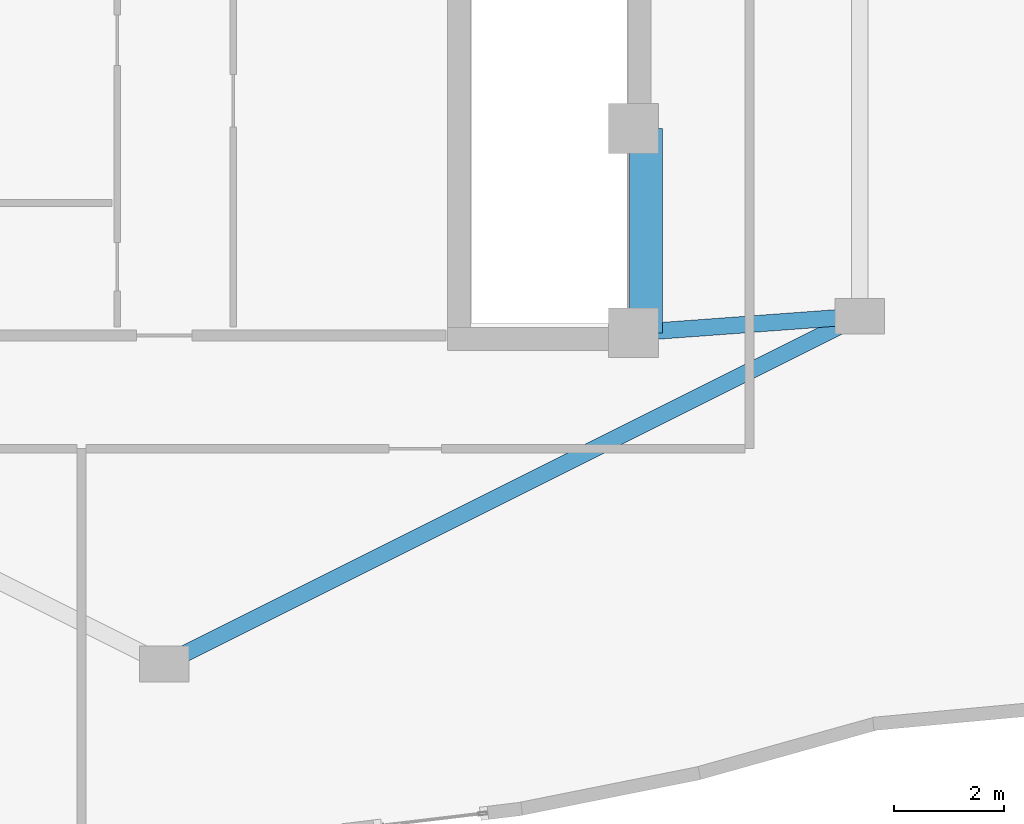
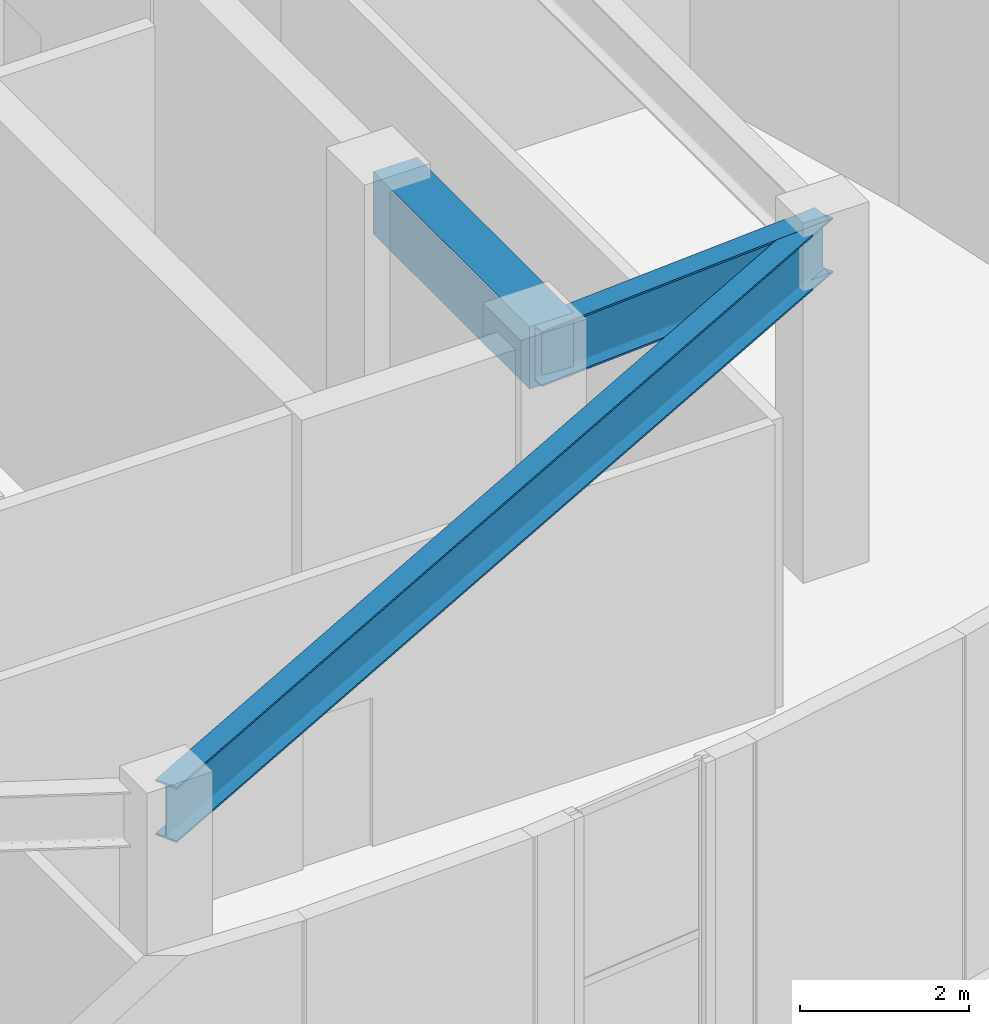
# One storey, part 3 of 12: 3 beams.
"""IFC4 building model written with IfcOpenShell, lengths in metres."""

import ifcopenshell
import ifcopenshell.guid

model = None  # the IFC model being written
_history = None  # IfcOwnerHistory: only IFC2X3 demands one
_inside = {}  # id of a spatial element -> (the spatial element, [elements in it])
_under = {}  # id of a project, library or spatial element -> (it, [spatial elements below it])
_declared = {}  # id of a project -> (the project, [libraries it declares])
_typed = {}  # id of a type object -> (the type object, [elements of that type])
_made_of = {}  # id of a material, layer set ... -> (it, [elements and type objects made of it])


def new_model(schema):
    """Start an empty IFC model of exactly this schema.

    Asked for "IFC4X3", IfcOpenShell would pick the latest addendum, in which some entities
    have other attributes; the version numbers below select the first issue.
    IFC2X3 requires an IfcOwnerHistory on every rooted entity: one is made here for all.
    """
    global model, _history
    if schema == "IFC4X3":
        model = ifcopenshell.file(schema_version=(4, 3, 0, 0))
    else:
        model = ifcopenshell.file(schema=schema)
    _inside.clear()
    _under.clear()
    _declared.clear()
    _typed.clear()
    _made_of.clear()
    _history = None
    if model.schema == "IFC2X3":
        org = make("IfcOrganization", Name="unknown")
        user = make(
            "IfcPersonAndOrganization",
            ThePerson=make("IfcPerson", FamilyName="unknown"),
            TheOrganization=org,
        )
        app = make(
            "IfcApplication",
            ApplicationDeveloper=org,
            Version="unknown",
            ApplicationFullName="unknown",
            ApplicationIdentifier="unknown",
        )
        _history = make(
            "IfcOwnerHistory",
            OwningUser=user,
            OwningApplication=app,
            ChangeAction="ADDED",
            CreationDate=0,
        )
    return model


def make(cls, **values):
    """One entity of the class cls with the attributes given. An attribute that is None is left unset."""
    return model.create_entity(
        cls, **{name: value for name, value in values.items() if value is not None}
    )


def rooted(cls, **values):
    """An entity with a GlobalId (a new one), such as an element, a storey or a relation."""
    return make(cls, GlobalId=ifcopenshell.guid.new(), OwnerHistory=_history, **values)


def si_unit(unit_type, name, prefix=None):
    """IfcSIUnit, for example si_unit("LENGTHUNIT", "METRE", prefix="MILLI")."""
    return make("IfcSIUnit", UnitType=unit_type, Prefix=prefix, Name=name)


def assignment(units):
    """IfcUnitAssignment: the units of a project."""
    return None if units is None else make("IfcUnitAssignment", Units=units)


def point(xyz):
    """IfcCartesianPoint."""
    return None if xyz is None else make("IfcCartesianPoint", Coordinates=xyz)


def direction(xyz):
    """IfcDirection."""
    return None if xyz is None else make("IfcDirection", DirectionRatios=xyz)


def frame(location, z_axis=None, x_axis=None):
    """IfcAxis2Placement3D, a coordinate frame: its origin and axes. An axis left out is left unset."""
    return make(
        "IfcAxis2Placement3D",
        Location=point(location),
        Axis=direction(z_axis),
        RefDirection=direction(x_axis),
    )


def frame_2d(location, x_axis=None):
    """IfcAxis2Placement2D, a coordinate frame in the plane: its origin and x axis."""
    return make(
        "IfcAxis2Placement2D", Location=point(location), RefDirection=direction(x_axis)
    )


def origin():
    """The frame at (0, 0, 0) with its axes left unset."""
    return frame((0.0, 0.0, 0.0))


def origin_2d():
    """The frame at (0, 0) in the plane with its x axis left unset."""
    return frame_2d((0.0, 0.0))


def place(relative_to, where):
    """IfcLocalPlacement: puts the frame where relative to a parent placement (None: the world)."""
    return make(
        "IfcLocalPlacement", PlacementRelTo=relative_to, RelativePlacement=where
    )


def context(
    kind, dimensions, precision=None, world=None, true_north=None, identifier=None
):
    """IfcGeometricRepresentationContext, for example the 3D "Model" context."""
    return make(
        "IfcGeometricRepresentationContext",
        ContextIdentifier=identifier,
        ContextType=kind,
        CoordinateSpaceDimension=dimensions,
        Precision=precision,
        WorldCoordinateSystem=world,
        TrueNorth=true_north,
    )


def subcontext(parent, identifier, kind, view, scale=None):
    """IfcGeometricRepresentationSubContext, for example "Body" below "Model"."""
    return make(
        "IfcGeometricRepresentationSubContext",
        ContextIdentifier=identifier,
        ContextType=kind,
        ParentContext=parent,
        TargetScale=scale,
        TargetView=view,
    )


def project(units=None, contexts=None):
    """IfcProject with its units and contexts."""
    return rooted(
        "IfcProject",
        Name="project",
        RepresentationContexts=contexts,
        UnitsInContext=assignment(units),
    )


def spatial(cls, under=None, at=None, **own):
    """A site, building, storey or space (cls), placed at a placement, below another one or the project."""
    s = rooted(cls, ObjectPlacement=at, **own)
    if under is not None:
        _under.setdefault(under.id(), (under, []))[1].append(s)
    return s


def profile(cls, at=None, kind="AREA", **sizes):
    """A parametric profile (cls). Its sizes go by their IFC names, for example OverallWidth=200.0."""
    return make(cls, ProfileType=kind, Position=at, **sizes)


def rectangle(**sizes):
    """IfcRectangleProfileDef."""
    return profile("IfcRectangleProfileDef", **sizes)


def i_section(**sizes):
    """IfcIShapeProfileDef."""
    return profile("IfcIShapeProfileDef", **sizes)


def extrude(swept, where, along, depth):
    """IfcExtrudedAreaSolid: the profile swept, set in the frame where, extruded along a direction by depth."""
    return make(
        "IfcExtrudedAreaSolid",
        SweptArea=swept,
        Position=where,
        ExtrudedDirection=direction(along),
        Depth=depth,
    )


def shape(context_of_items, identifier, shape_type, items):
    """IfcShapeRepresentation: the items that make up one representation, for example the "Body"."""
    return make(
        "IfcShapeRepresentation",
        ContextOfItems=context_of_items,
        RepresentationIdentifier=identifier,
        RepresentationType=shape_type,
        Items=items,
    )


def material(Name=None, Category=None):
    """IfcMaterial."""
    return make("IfcMaterial", Name=Name, Category=Category)


def material_profile(
    of_material, cross_section, Name=None, Category=None, Priority=None
):
    """IfcMaterialProfile: a cross section and its material."""
    return make(
        "IfcMaterialProfile",
        Name=Name,
        Material=of_material,
        Profile=cross_section,
        Priority=Priority,
        Category=Category,
    )


def profile_set(profiles, Name=None, composite=None):
    """IfcMaterialProfileSet."""
    return make(
        "IfcMaterialProfileSet",
        Name=Name,
        MaterialProfiles=profiles,
        CompositeProfile=composite,
    )


def made_of(thing, what):
    """Note that an element or type object is made of a material, layer set ...; save() writes the relation."""
    if what is not None:
        _made_of.setdefault(what.id(), (what, []))[1].append(thing)
    return thing


def type_object(cls, material=None, **own):
    """A type object (cls), such as IfcWallType, which elements share."""
    return made_of(rooted(cls, **own), material)


def element(
    cls,
    number,
    at=None,
    inside=None,
    cuts=None,
    type_object=None,
    material=None,
    context=None,
    identifier="Body",
    shape_type=None,
    held_by="IfcProductDefinitionShape",
    body=None,
    shapes=None,
    **own,
):
    """One element of the class cls, such as IfcWall. Its Tag is "e" and its number.

    at: its placement. inside: the storey or other place that contains it. cuts: it is an
    opening in that element (IfcRelVoidsElement). A single representation is given by context,
    identifier, shape_type and body (its items); several are given by shapes. held_by: the class
    of the entity that holds the representations. save() writes the other relations.
    """
    e = rooted(cls, Tag="e%d" % number, ObjectPlacement=at, **own)
    if body is not None:
        shapes = [shape(context, identifier, shape_type, body)]
    if shapes is not None:
        e.Representation = make(held_by, Representations=shapes)
    if inside is not None:
        _inside.setdefault(inside.id(), (inside, []))[1].append(e)
    if cuts is not None:
        rooted(
            "IfcRelVoidsElement", RelatingBuildingElement=cuts, RelatedOpeningElement=e
        )
    if type_object is not None:
        _typed.setdefault(type_object.id(), (type_object, []))[1].append(e)
    return made_of(e, material)


def aggregate(whole, parts):
    """IfcRelAggregates: a whole, such as a stair, and the parts it consists of."""
    return rooted("IfcRelAggregates", RelatingObject=whole, RelatedObjects=parts)


def save(model, path):
    """Write the relations noted so far, then the file.

    IfcRelAggregates (storeys below a building ...), IfcRelContainedInSpatialStructure (elements
    in a storey), IfcRelDefinesByType, IfcRelAssociatesMaterial and IfcRelDeclares: one each for
    every whole, place, type object, material and project.
    """
    for whole, parts in _under.values():
        aggregate(whole, parts)
    for where, things in _inside.values():
        rooted(
            "IfcRelContainedInSpatialStructure",
            RelatedElements=things,
            RelatingStructure=where,
        )
    for kind, things in _typed.values():
        rooted("IfcRelDefinesByType", RelatedObjects=things, RelatingType=kind)
    for what, things in _made_of.values():
        rooted("IfcRelAssociatesMaterial", RelatedObjects=things, RelatingMaterial=what)
    for by, libraries in _declared.values():
        rooted("IfcRelDeclares", RelatingContext=by, RelatedDefinitions=libraries)
    model.write(path)


model = new_model("IFC4")

# Units and contexts
model_context = context("Model", 3, precision=1e-05, world=origin(), true_north=direction((0.0, 1.0)))
body_context = subcontext(model_context, "Body", "Model", "MODEL_VIEW")
ifc_project = project(units=[si_unit("LENGTHUNIT", "METRE"), si_unit("AREAUNIT", "SQUARE_METRE"), si_unit("VOLUMEUNIT", "CUBIC_METRE"), si_unit("PLANEANGLEUNIT", "RADIAN"), si_unit("MASSUNIT", "GRAM", prefix="KILO")], contexts=[model_context])

# Site, building, storey
site_placement = place(None, origin())
site = spatial("IfcSite", under=ifc_project, at=site_placement, CompositionType="ELEMENT")
building_placement = place(site_placement, origin())
building = spatial("IfcBuilding", under=site, at=building_placement, Name="Miruveldt Soraemaru", CompositionType="ELEMENT")
storey_placement = place(building_placement, frame((0.0, 0.0, 312.800048828125)))
storey = spatial("IfcBuildingStorey", under=building, at=storey_placement, Name="L82", CompositionType="ELEMENT", Elevation=312.800048828125)

# Beams
ifc_material_1 = material(Name="Concrete C60/75 (60 MPa)", Category="concrete")
ifc_material_profile_1 = material_profile(ifc_material_1, rectangle(XDim=0.60009765625, YDim=0.89990234375, at=origin_2d()), Name="Concrete C60/75 (60 MPa)", Category="concrete")
ifc_profile_set_1 = profile_set([ifc_material_profile_1], Name="Concrete C60/75 (60 MPa)")
beam_type_1 = type_object("IfcBeamType", Name="BM-RC-600x900", PredefinedType="BEAM", material=ifc_profile_set_1)
beam_1_placement = place(storey_placement, frame((52.72998046875, 35.5, 4.5400390625), z_axis=(0.0, 1.0, 0.0), x_axis=(-1.0, 0.0, 0.0)))
element("IfcBeam", 1, at=beam_1_placement, inside=storey, type_object=beam_type_1, Name="L82 Core Tie Beam 3", PredefinedType="BEAM", context=body_context, shape_type="SweptSolid", body=[
    extrude(rectangle(XDim=0.60009765625, YDim=0.89990234375, at=origin_2d()), origin(), (0.0, 0.0, 1.0), 3.699951171875),
])
ifc_material_2 = material(Name="Steel S460 (460 MPa)", Category="steel")
ifc_material_profile_2 = material_profile(ifc_material_2, i_section(OverallWidth=0.300048828125, OverallDepth=0.800048828125, WebThickness=0.013916015625, FlangeThickness=0.02587890625, FilletRadius=0.028076171875, at=origin_2d()), Name="Steel S460 (460 MPa)", Category="steel")
ifc_profile_set_2 = profile_set([ifc_material_profile_2], Name="Steel S460 (460 MPa)")
beam_type_2 = type_object("IfcBeamType", Name="BM-ST-H800", PredefinedType="BEAM", material=ifc_profile_set_2)
beam_2_placement = place(storey_placement, frame((56.60009765625, 35.800048828125, 4.58984375), z_axis=(-0.894427191, -0.4472135955, 0.0), x_axis=(0.4472135955, -0.894427191, 0.0)))
element("IfcBeam", 2, at=beam_2_placement, inside=storey, type_object=beam_type_2, Name="L82 Inner Ring Girder 3", PredefinedType="BEAM", context=body_context, shape_type="SweptSolid", body=[
    extrude(i_section(OverallWidth=0.300048828125, OverallDepth=0.800048828125, WebThickness=0.013916015625, FlangeThickness=0.02587890625, FilletRadius=0.028076171875, at=origin_2d()), origin(), (0.0, 0.0, 1.0), 14.08740234375),
])
beam_3_placement = place(storey_placement, frame((52.5, 35.5, 4.58984375), z_axis=(0.997332985605, 0.072985723431, 0.0), x_axis=(-0.072985723431, 0.997332985605, 0.0)))
element("IfcBeam", 3, at=beam_3_placement, inside=storey, type_object=beam_type_2, Name="L82 Core-to-Inner Radial Girder 3", PredefinedType="BEAM", context=body_context, shape_type="SweptSolid", body=[
    extrude(i_section(OverallWidth=0.300048828125, OverallDepth=0.800048828125, WebThickness=0.013916015625, FlangeThickness=0.02587890625, FilletRadius=0.028076171875, at=origin_2d()), origin(), (0.0, 0.0, 1.0), 4.111083984375),
])

save(model, "model.ifc")
